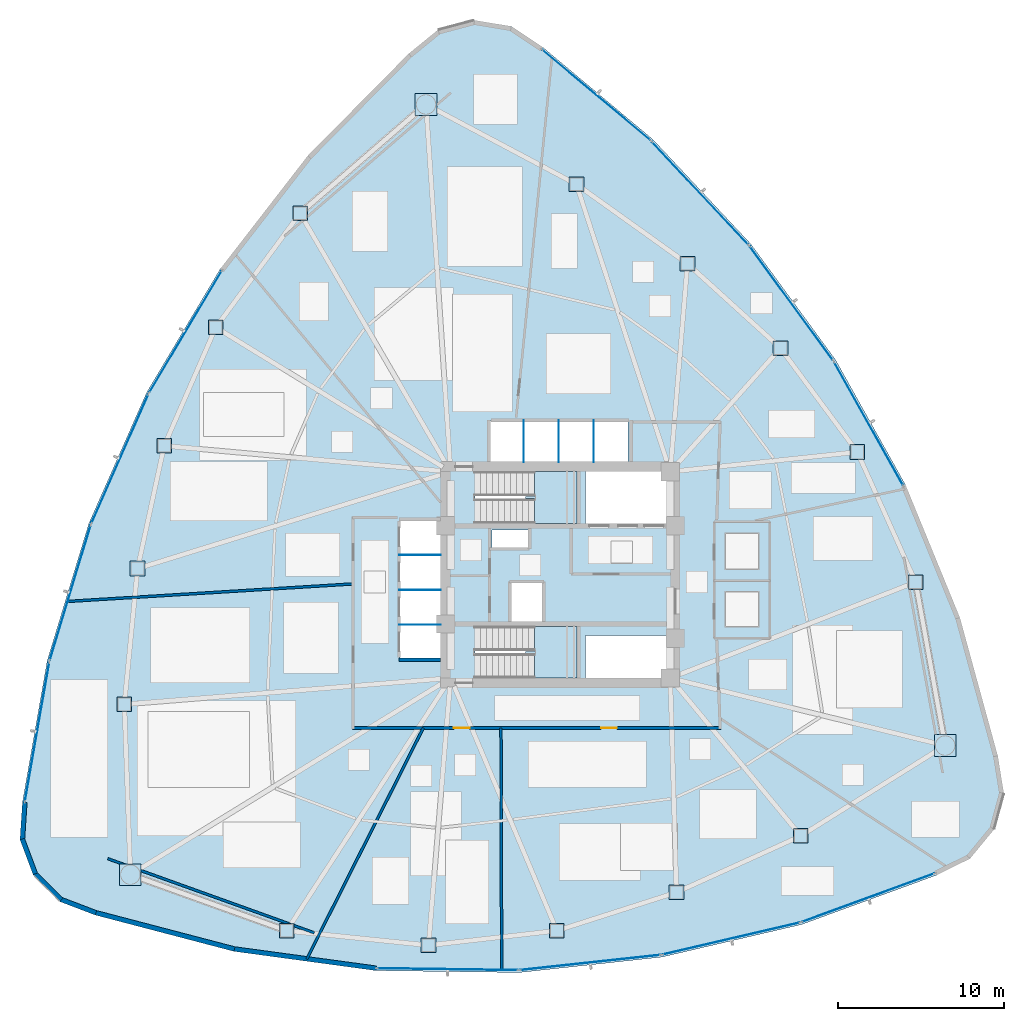
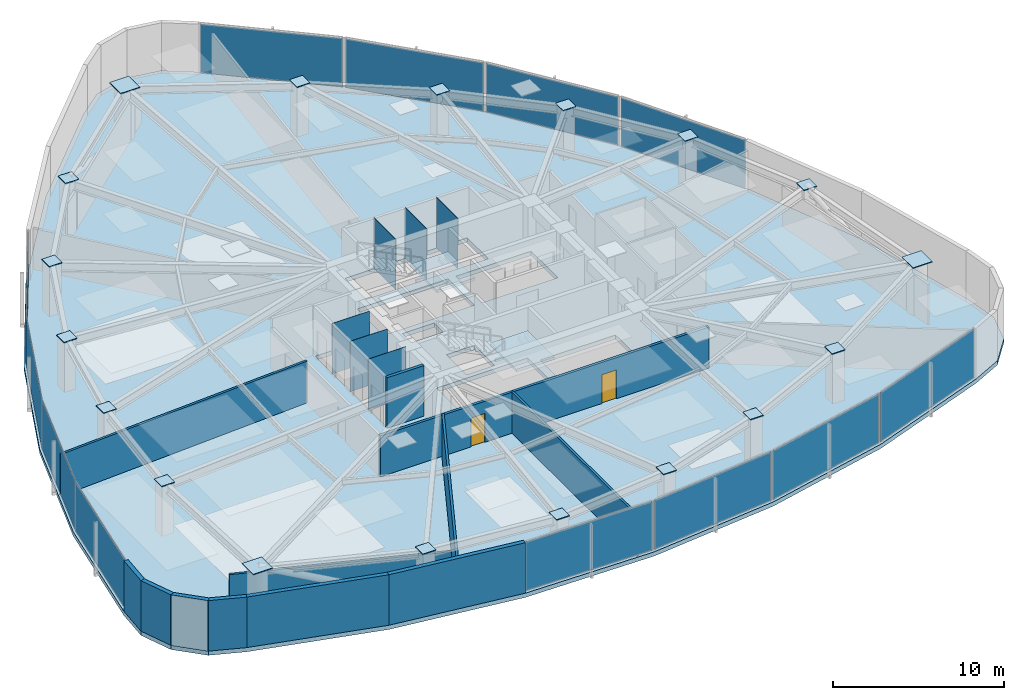
# One storey, part 10 of 16: 36 plates, 12 walls, 3 slabs, 2 doors, 2 openings, 14 elements without a shape of their own.
"""IFC4 building model written with IfcOpenShell, lengths in metres."""

from ifc_helpers import new_model, si_unit, direction, frame, frame_2d, origin, origin_2d, place, context, subcontext, project, spatial, polyline, rectangle, outline, extrude, source, transform, mapped, material, layer, layer_set, type_object, type_shapes, element, fill, aggregate, save


model = new_model("IFC4")

# Units and contexts
model_context = context("Model", 3, precision=1e-05, world=origin(), true_north=direction((0.0, 1.0)))
body_context = subcontext(model_context, "Body", "Model", "MODEL_VIEW")
ifc_project = project(units=[si_unit("LENGTHUNIT", "METRE"), si_unit("AREAUNIT", "SQUARE_METRE"), si_unit("VOLUMEUNIT", "CUBIC_METRE"), si_unit("PLANEANGLEUNIT", "RADIAN"), si_unit("MASSUNIT", "GRAM", prefix="KILO")], contexts=[model_context])

# Site, building, storey
site_placement = place(None, origin())
site = spatial("IfcSite", under=ifc_project, at=site_placement, CompositionType="ELEMENT")
building_placement = place(site_placement, origin())
building = spatial("IfcBuilding", under=site, at=building_placement, Name="Tavelor Broadcast Tower", CompositionType="ELEMENT")
storey_placement = place(building_placement, frame((0.0, 0.0, 35.39990234375)))
storey = spatial("IfcBuildingStorey", under=building, at=storey_placement, Name="L07", CompositionType="ELEMENT", Elevation=35.39990234375)

# Stair, slab
ifc_material_1 = material(Name="Concrete C40/50", Category="concrete")
stair_type = type_object("IfcStairType", Name="Reinforced Concrete Protected Dogleg Stair 1450 mm", PredefinedType="HALF_TURN_STAIR", material=ifc_material_1)
stair_1_placement = place(storey_placement, origin())
stair_1 = element("IfcStair", 1, at=stair_1_placement, inside=storey, type_object=stair_type, Name="L07 Protected Core Exit Stair ST1", PredefinedType="HALF_TURN_STAIR")
ifc_layer_1 = layer(ifc_material_1, 0.199951171875)
ifc_layer_set_1 = layer_set([ifc_layer_1], Name="Concrete C40/50")
slab_type_1 = type_object("IfcSlabType", Name="Reinforced Concrete Stair Half-Landing Slab 200 mm", PredefinedType="LANDING", material=ifc_layer_set_1)
slab_1_placement = place(storey_placement, frame((0.0, 0.0, 1.75)))
slab_1 = element("IfcSlab", 2, at=slab_1_placement, type_object=slab_type_1, Name="ST1 landing 1", PredefinedType="LANDING", context=body_context, shape_type="SweptSolid", body=[
    extrude(outline(polyline([(48.445068359375, 49.590087890625), (48.445068359375, 48.094970703125), (51.0048828125, 48.094970703125), (51.0048828125, 51.205078125), (48.445068359375, 51.205078125), (48.445068359375, 49.7099609375), (47.905029296875, 49.7099609375), (47.905029296875, 49.590087890625), (48.445068359375, 49.590087890625)])), origin(), (0.0, 0.0, 1.0), 0.2001953125),
])
aggregate(stair_1, [slab_1])

stair_2_placement = place(storey_placement, origin())
stair_2 = element("IfcStair", 3, at=stair_2_placement, inside=storey, type_object=stair_type, Name="L07 Protected Core Exit Stair ST2", PredefinedType="HALF_TURN_STAIR")
slab_2_placement = place(storey_placement, frame((0.0, 0.0, 1.75)))
slab_2 = element("IfcSlab", 4, at=slab_2_placement, type_object=slab_type_1, Name="ST2 landing 1", PredefinedType="LANDING", context=body_context, shape_type="SweptSolid", body=[
    extrude(outline(polyline([(48.445068359375, 40.2900390625), (48.445068359375, 38.794921875), (51.0048828125, 38.794921875), (51.0048828125, 41.905029296875), (48.445068359375, 41.905029296875), (48.445068359375, 40.409912109375), (47.905029296875, 40.409912109375), (47.905029296875, 40.2900390625), (48.445068359375, 40.2900390625)])), origin(), (0.0, 0.0, 1.0), 0.2001953125),
])
aggregate(stair_2, [slab_2])

# Slab
ifc_layer_2 = layer(ifc_material_1, 0.300048828125)
ifc_layer_set_2 = layer_set([ifc_layer_2], Name="Concrete C40/50")
slab_type_2 = type_object("IfcSlabType", Name="Tower Composite Floor Slab 300 mm", PredefinedType="FLOOR", material=ifc_layer_set_2)
slab_3_placement = place(storey_placement, frame((0.0, 0.0, -0.2998046875)))
element("IfcSlab", 5, at=slab_3_placement, inside=storey, type_object=slab_type_2, Name="L07 Structural Floor Slab", PredefinedType="FLOOR", context=body_context, shape_type="SweptSolid", body=[
    extrude(outline(polyline([(48.944091796875, 76.7021484375), (47.0615234375, 77.9599609375), (44.828125, 78.331787109375), (42.6396484375, 77.75146484375), (40.8837890625, 76.322021484375), (34.82421875, 70.193603515625), (29.55078125, 63.377197265625), (25.14111328125, 55.972412109375), (21.659912109375, 48.088623046875), (19.158203125, 39.841552734375), (17.673095703125, 31.352294921875), (17.52490234375, 29.093017578125), (18.31982421875, 26.972900390625), (19.91650390625, 25.36767578125), (22.032470703125, 24.561767578125), (30.369384765625, 22.37841796875), (38.909423828125, 21.2197265625), (47.52685546875, 21.10302734375), (56.09521484375, 22.030029296875), (64.48828125, 23.9873046875), (72.582763671875, 26.94580078125), (74.61328125, 27.947021484375), (76.052001953125, 29.6953125), (76.643798828125, 31.880859375), (76.28369140625, 34.1162109375), (74.006103515625, 42.427978515625), (70.739501953125, 50.4033203125), (66.531982421875, 57.92431640625), (61.44482421875, 64.881103515625), (55.553466796875, 71.171142578125), (48.944091796875, 76.7021484375)]), holes=[polyline([(56.60009765625, 38.800048828125), (51.52001953125, 38.800048828125), (51.52001953125, 41.35009765625), (56.60009765625, 41.35009765625), (56.60009765625, 38.800048828125)]), polyline([(50.99609375, 38.803955078125), (44.85400390625, 38.803955078125), (44.85400390625, 41.89599609375), (50.99609375, 41.89599609375), (50.99609375, 38.803955078125)]), polyline([(47.050048828125, 42.199951171875), (47.050048828125, 44.550048828125), (48.949951171875, 44.550048828125), (48.949951171875, 42.199951171875), (47.050048828125, 42.199951171875)]), polyline([(40.35009765625, 40.0), (40.35009765625, 48.25), (42.800048828125, 48.25), (42.800048828125, 40.0), (40.35009765625, 40.0)]), polyline([(48.050048828125, 46.64990234375), (45.89990234375, 46.64990234375), (45.89990234375, 47.699951171875), (48.050048828125, 47.699951171875), (48.050048828125, 46.64990234375)]), polyline([(50.99609375, 48.10400390625), (44.85400390625, 48.10400390625), (44.85400390625, 51.196044921875), (50.99609375, 51.196044921875), (50.99609375, 48.10400390625)]), polyline([(56.60009765625, 48.10009765625), (51.52001953125, 48.10009765625), (51.52001953125, 51.199951171875), (56.60009765625, 51.199951171875), (56.60009765625, 48.10009765625)]), polyline([(54.050048828125, 51.800048828125), (45.800048828125, 51.800048828125), (45.800048828125, 54.25), (54.050048828125, 54.25), (54.050048828125, 51.800048828125)])]), origin(), (0.0, 0.0, 1.0), 0.2998046875),
])

# Plates
ifc_material_2 = material(Name="Steel S460", Category="steel")
ifc_layer_3 = layer(ifc_material_2, 0.050048828125)
ifc_layer_set_3 = layer_set([ifc_layer_3], Name="Steel S460")
plate_type_1 = type_object("IfcPlateType", Name="Tube Hollow-End Cap Plate KN05 700x700x50", PredefinedType="USERDEFINED", material=ifc_layer_set_3)
shared_shape_1 = source(origin(), body_context, "Body", "SweptSolid", [
    extrude(rectangle(XDim=1.299072265625, YDim=1.299072265625, at=origin_2d()), origin(), (0.0, 0.0, 1.0), 0.054931640625),
])
for number, where, z_axis, x_axis, name in (
    (6, (41.923095703125, 73.266357421875, 3.57275390625), (0.0, 0.0, 1.0), (1.0, 0.0, 0.0), "L07 Hollow End Cap Plate KN05 #274"),
    (7, (24.1591796875, 26.98974609375, 3.57275390625), (0.0, 0.0, 1.0), (1.0, 0.0, 0.0), "L07 Hollow End Cap Plate KN05 #280"),
    (8, (73.117919921875, 34.743896484375, 3.57275390625), (0.0, 0.0, 1.0), (1.0, 0.0, 0.0), "L07 Hollow End Cap Plate KN05 #286"),
):
    element("IfcPlate", number, at=place(storey_placement, frame(where, z_axis=z_axis, x_axis=x_axis)), inside=storey, type_object=plate_type_1, Name=name, ObjectType="CAP PLATE", PredefinedType="USERDEFINED", context=body_context, shape_type="MappedRepresentation", body=[
        mapped(shared_shape_1, transform((0.0, 0.0, 0.0), scale=1.0)),
    ])
shared_shape_2 = source(origin(), body_context, "Body", "SweptSolid", [
    extrude(rectangle(XDim=0.8798828125, YDim=0.8798828125, at=origin_2d()), origin(), (0.0, 0.0, 1.0), 0.054931640625),
])
type_shapes(plate_type_1, [shared_shape_1, shared_shape_2])
for number, where, z_axis, x_axis, name in (
    (9, (34.356201171875, 66.727783203125, 3.57275390625), (0.0, 0.0, 1.0), (1.0, 0.0, 0.0), "L07 Hollow End Cap Plate KN05 #275"),
    (10, (29.292236328125, 59.87158203125, 3.57275390625), (0.0, 0.0, 1.0), (1.0, 0.0, 0.0), "L07 Hollow End Cap Plate KN05 #276"),
    (11, (26.189208984375, 52.75830078125, 3.57275390625), (0.0, 0.0, 1.0), (1.0, 0.0, 0.0), "L07 Hollow End Cap Plate KN05 #277"),
    (12, (24.58984375, 45.380615234375, 3.57275390625), (0.0, 0.0, 1.0), (1.0, 0.0, 0.0), "L07 Hollow End Cap Plate KN05 #278"),
    (13, (23.794677734375, 37.21630859375, 3.57275390625), (0.0, 0.0, 1.0), (1.0, 0.0, 0.0), "L07 Hollow End Cap Plate KN05 #279"),
    (14, (33.55078125, 23.615478515625, 3.57275390625), (0.0, 0.0, 1.0), (1.0, 0.0, 0.0), "L07 Hollow End Cap Plate KN05 #281"),
    (15, (42.0732421875, 22.740478515625, 3.57275390625), (0.0, 0.0, 1.0), (1.0, 0.0, 0.0), "L07 Hollow End Cap Plate KN05 #282"),
    (16, (49.78662109375, 23.617919921875, 3.57275390625), (0.0, 0.0, 1.0), (1.0, 0.0, 0.0), "L07 Hollow End Cap Plate KN05 #283"),
    (17, (56.975341796875, 25.92138671875, 3.57275390625), (0.0, 0.0, 1.0), (1.0, 0.0, 0.0), "L07 Hollow End Cap Plate KN05 #284"),
    (18, (64.443603515625, 29.31494140625, 3.57275390625), (0.0, 0.0, 1.0), (1.0, 0.0, 0.0), "L07 Hollow End Cap Plate KN05 #285"),
    (19, (71.343994140625, 44.564697265625, 3.57275390625), (0.0, 0.0, 1.0), (1.0, 0.0, 0.0), "L07 Hollow End Cap Plate KN05 #287"),
    (20, (67.8408203125, 52.382568359375, 3.57275390625), (0.0, 0.0, 1.0), (1.0, 0.0, 0.0), "L07 Hollow End Cap Plate KN05 #288"),
    (21, (63.22412109375, 58.623779296875, 3.57275390625), (0.0, 0.0, 1.0), (1.0, 0.0, 0.0), "L07 Hollow End Cap Plate KN05 #289"),
    (22, (57.634765625, 63.69775390625, 3.57275390625), (0.0, 0.0, 1.0), (1.0, 0.0, 0.0), "L07 Hollow End Cap Plate KN05 #290"),
    (23, (50.9619140625, 68.468505859375, 3.57275390625), (0.0, 0.0, 1.0), (1.0, 0.0, 0.0), "L07 Hollow End Cap Plate KN05 #291"),
):
    element("IfcPlate", number, at=place(storey_placement, frame(where, z_axis=z_axis, x_axis=x_axis)), inside=storey, type_object=plate_type_1, Name=name, ObjectType="CAP PLATE", PredefinedType="USERDEFINED", context=body_context, shape_type="MappedRepresentation", body=[
        mapped(shared_shape_2, transform((0.0, 0.0, 0.0), scale=1.0)),
    ])
ifc_material_3 = material(Name="Steel S355", Category="steel")
ifc_layer_4 = layer(ifc_material_3, 0.011962890625)
ifc_layer_set_4 = layer_set([ifc_layer_4], Name="Steel S355")
plate_type_2 = type_object("IfcPlateType", Name="Hoistway Steel Separator Screen 12 mm", PredefinedType="SHEET", material=ifc_layer_set_4)
shared_shape_3 = source(origin(), body_context, "Body", "SweptSolid", [
    extrude(rectangle(XDim=2.52001953125, YDim=0.02001953125, at=origin_2d()), origin(), (0.0, 0.0, 1.0), 3.60009765625),
])
for number, where, z_axis, x_axis, name in (
    (24, (41.56005859375, 42.0, 0.0), (0.0, 0.0, 1.0), (1.0, 0.0, 0.0), "L07 Low-Rise Hoistway Separator Screen 1"),
    (25, (41.56005859375, 44.10009765625, 0.0), (0.0, 0.0, 1.0), (1.0, 0.0, 0.0), "L07 Low-Rise Hoistway Separator Screen 2"),
    (26, (41.56005859375, 46.199951171875, 0.0), (0.0, 0.0, 1.0), (1.0, 0.0, 0.0), "L07 Low-Rise Hoistway Separator Screen 3"),
):
    element("IfcPlate", number, at=place(storey_placement, frame(where, z_axis=z_axis, x_axis=x_axis)), inside=storey, type_object=plate_type_2, Name=name, PredefinedType="SHEET", context=body_context, shape_type="MappedRepresentation", body=[
        mapped(shared_shape_3, transform((0.0, 0.0, 0.0), scale=1.0)),
    ])
shared_shape_4 = source(origin(), body_context, "Body", "SweptSolid", [
    extrude(rectangle(XDim=0.02001953125, YDim=2.52001953125, at=origin_2d()), origin(), (0.0, 0.0, 1.0), 3.60009765625),
])
type_shapes(plate_type_2, [shared_shape_3, shared_shape_4])
for number, where, z_axis, x_axis, name in (
    (27, (47.800048828125, 53.0400390625, 0.0), (0.0, 0.0, 1.0), (1.0, 0.0, 0.0), "L07 High-Rise Hoistway Separator Screen 1"),
    (28, (49.89990234375, 53.0400390625, 0.0), (0.0, 0.0, 1.0), (1.0, 0.0, 0.0), "L07 High-Rise Hoistway Separator Screen 2"),
    (29, (52.0, 53.0400390625, 0.0), (0.0, 0.0, 1.0), (1.0, 0.0, 0.0), "L07 High-Rise Hoistway Separator Screen 3"),
):
    element("IfcPlate", number, at=place(storey_placement, frame(where, z_axis=z_axis, x_axis=x_axis)), inside=storey, type_object=plate_type_2, Name=name, PredefinedType="SHEET", context=body_context, shape_type="MappedRepresentation", body=[
        mapped(shared_shape_4, transform((0.0, 0.0, 0.0), scale=1.0)),
    ])

# Curtain wall, plate
ifc_material_4 = material(Name="Architectural Anodized Aluminium", Category="aluminium")
ifc_layer_5 = layer(ifc_material_4, 0.179931640625)
ifc_layer_set_5 = layer_set([ifc_layer_5], Name="Architectural Anodized Aluminium")
curtain_wall_type = type_object("IfcCurtainWallType", Name="Tower Low-Zone Unitised Curtain Wall CW02", PredefinedType="NOTDEFINED", material=ifc_layer_set_5)
curtain_wall_1_placement = place(storey_placement, origin())
curtain_wall_1 = element("IfcCurtainWall", 30, at=curtain_wall_1_placement, inside=storey, type_object=curtain_wall_type, Name="L07 Curtain Wall CW02 Run 37", PredefinedType="NOTDEFINED")
ifc_material_5 = material(Name="Acoustic Double Glazing 28 mm", Category="glass")
ifc_layer_6 = layer(ifc_material_5, 0.028076171875)
ifc_layer_set_6 = layer_set([ifc_layer_6], Name="Acoustic Double Glazing 28 mm")
plate_type_3 = type_object("IfcPlateType", Name="CW02 Insulated Vision Glazing Panel 28 mm", PredefinedType="CURTAIN_PANEL", material=ifc_layer_set_6)
shared_shape_5 = source(origin(), body_context, "Body", "SweptSolid", [
    extrude(rectangle(XDim=8.456298828125, YDim=0.028076171875, at=origin_2d()), origin(), (0.0, 0.0, 1.0), 3.469970703125),
])
plate_1_placement = place(storey_placement, frame((27.47021484375, 59.609619140625, 0.06494140625), z_axis=(0.0, 0.0, 1.0), x_axis=(-0.51167037868, -0.859181833829, 0.0)))
plate_1 = element("IfcPlate", 31, at=plate_1_placement, type_object=plate_type_3, Name="CW02 panel 1.1", PredefinedType="CURTAIN_PANEL", context=body_context, shape_type="MappedRepresentation", body=[
    mapped(shared_shape_5, transform((0.0, 0.0, 0.0), scale=1.0)),
])
aggregate(curtain_wall_1, [plate_1])

curtain_wall_2_placement = place(storey_placement, origin())
curtain_wall_2 = element("IfcCurtainWall", 32, at=curtain_wall_2_placement, inside=storey, type_object=curtain_wall_type, Name="L07 Curtain Wall CW02 Run 41", PredefinedType="NOTDEFINED")
plate_2_placement = place(storey_placement, frame((43.212646484375, 21.301513671875, 0.06494140625), z_axis=(0.0, 0.0, 1.0), x_axis=(0.999908419812, -0.013533365758, 0.0)))
plate_2 = element("IfcPlate", 33, at=plate_2_placement, type_object=plate_type_3, Name="CW02 panel 1.1", PredefinedType="CURTAIN_PANEL", context=body_context, shape_type="MappedRepresentation", body=[
    mapped(shared_shape_5, transform((0.0, 0.0, 0.0), scale=1.0)),
])
aggregate(curtain_wall_2, [plate_2])

curtain_wall_3_placement = place(storey_placement, origin())
curtain_wall_3 = element("IfcCurtainWall", 34, at=curtain_wall_3_placement, inside=storey, type_object=curtain_wall_type, Name="L07 Curtain Wall CW02 Run 38", PredefinedType="NOTDEFINED")
shared_shape_6 = source(origin(), body_context, "Body", "SweptSolid", [
    extrude(rectangle(XDim=8.441162109375, YDim=0.028076171875, at=origin_2d()), origin(), (0.0, 0.0, 1.0), 3.469970703125),
])
plate_3_placement = place(storey_placement, frame((23.528564453125, 51.97412109375, 0.06494140625), z_axis=(0.0, 0.0, 1.0), x_axis=(-0.403945231697, -0.914783170915, 0.0)))
plate_3 = element("IfcPlate", 35, at=plate_3_placement, type_object=plate_type_3, Name="CW02 panel 1.1", PredefinedType="CURTAIN_PANEL", context=body_context, shape_type="MappedRepresentation", body=[
    mapped(shared_shape_6, transform((0.0, 0.0, 0.0), scale=1.0)),
])
aggregate(curtain_wall_3, [plate_3])

curtain_wall_4_placement = place(storey_placement, origin())
curtain_wall_4 = element("IfcCurtainWall", 36, at=curtain_wall_4_placement, inside=storey, type_object=curtain_wall_type, Name="L07 Curtain Wall CW02 Run 39", PredefinedType="NOTDEFINED")
plate_4_placement = place(storey_placement, frame((20.543212890625, 43.924560546875, 0.06494140625), z_axis=(0.0, 0.0, 1.0), x_axis=(-0.290272907068, -0.9569439061, 0.0)))
plate_4 = element("IfcPlate", 37, at=plate_4_placement, type_object=plate_type_3, Name="CW02 panel 1.1", PredefinedType="CURTAIN_PANEL", context=body_context, shape_type="MappedRepresentation", body=[
    mapped(shared_shape_6, transform((0.0, 0.0, 0.0), scale=1.0)),
])
aggregate(curtain_wall_4, [plate_4])

curtain_wall_5_placement = place(storey_placement, origin())
curtain_wall_5 = element("IfcCurtainWall", 38, at=curtain_wall_5_placement, inside=storey, type_object=curtain_wall_type, Name="L07 Curtain Wall CW02 Run 43", PredefinedType="NOTDEFINED")
plate_5_placement = place(storey_placement, frame((60.260009765625, 23.14501953125, 0.06494140625), z_axis=(0.0, 0.0, 1.0), x_axis=(0.973871665625, 0.22709905084, 0.0)))
plate_5 = element("IfcPlate", 39, at=plate_5_placement, type_object=plate_type_3, Name="CW02 panel 1.1", PredefinedType="CURTAIN_PANEL", context=body_context, shape_type="MappedRepresentation", body=[
    mapped(shared_shape_6, transform((0.0, 0.0, 0.0), scale=1.0)),
])
aggregate(curtain_wall_5, [plate_5])

curtain_wall_6_placement = place(storey_placement, origin())
curtain_wall_6 = element("IfcCurtainWall", 40, at=curtain_wall_6_placement, inside=storey, type_object=curtain_wall_type, Name="L07 Curtain Wall CW02 Run 46", PredefinedType="NOTDEFINED")
plate_6_placement = place(storey_placement, frame((63.87548828125, 61.320068359375, 0.06494140625), z_axis=(0.0, 0.0, 1.0), x_axis=(-0.59025086968, 0.807219865243, 0.0)))
plate_6 = element("IfcPlate", 41, at=plate_6_placement, type_object=plate_type_3, Name="CW02 panel 1.1", PredefinedType="CURTAIN_PANEL", context=body_context, shape_type="MappedRepresentation", body=[
    mapped(shared_shape_6, transform((0.0, 0.0, 0.0), scale=1.0)),
])
aggregate(curtain_wall_6, [plate_6])

curtain_wall_7_placement = place(storey_placement, origin())
curtain_wall_7 = element("IfcCurtainWall", 42, at=curtain_wall_7_placement, inside=storey, type_object=curtain_wall_type, Name="L07 Curtain Wall CW02 Run 47", PredefinedType="NOTDEFINED")
plate_7_placement = place(storey_placement, frame((58.39697265625, 67.930419921875, 0.06494140625), z_axis=(0.0, 0.0, 1.0), x_axis=(-0.6836045808, 0.729852572174, 0.0)))
plate_7 = element("IfcPlate", 43, at=plate_7_placement, type_object=plate_type_3, Name="CW02 panel 1.1", PredefinedType="CURTAIN_PANEL", context=body_context, shape_type="MappedRepresentation", body=[
    mapped(shared_shape_6, transform((0.0, 0.0, 0.0), scale=1.0)),
])
aggregate(curtain_wall_7, [plate_7])

curtain_wall_8_placement = place(storey_placement, origin())
curtain_wall_8 = element("IfcCurtainWall", 44, at=curtain_wall_8_placement, inside=storey, type_object=curtain_wall_type, Name="L07 Curtain Wall CW02 Run 40", PredefinedType="NOTDEFINED")
shared_shape_7 = source(origin(), body_context, "Body", "SweptSolid", [
    extrude(rectangle(XDim=8.457275390625, YDim=0.028076171875, at=origin_2d()), origin(), (0.0, 0.0, 1.0), 3.469970703125),
])
plate_8_placement = place(storey_placement, frame((18.55224609375, 35.56494140625, 0.06494140625), z_axis=(0.0, 0.0, 1.0), x_axis=(-0.172338241982, -0.985037831939, 0.0)))
plate_8 = element("IfcPlate", 45, at=plate_8_placement, type_object=plate_type_3, Name="CW02 panel 1.1", PredefinedType="CURTAIN_PANEL", context=body_context, shape_type="MappedRepresentation", body=[
    mapped(shared_shape_7, transform((0.0, 0.0, 0.0), scale=1.0)),
])
aggregate(curtain_wall_8, [plate_8])

curtain_wall_9_placement = place(storey_placement, origin())
curtain_wall_9 = element("IfcCurtainWall", 46, at=curtain_wall_9_placement, inside=storey, type_object=curtain_wall_type, Name="L07 Curtain Wall CW02 Run 44", PredefinedType="NOTDEFINED")
plate_9_placement = place(storey_placement, frame((68.494873046875, 25.600830078125, 0.06494140625), z_axis=(0.0, 0.0, 1.0), x_axis=(0.939239005444, 0.343263879039, 0.0)))
plate_9 = element("IfcPlate", 47, at=plate_9_placement, type_object=plate_type_3, Name="CW02 panel 1.1", PredefinedType="CURTAIN_PANEL", context=body_context, shape_type="MappedRepresentation", body=[
    mapped(shared_shape_7, transform((0.0, 0.0, 0.0), scale=1.0)),
])
aggregate(curtain_wall_9, [plate_9])

curtain_wall_10_placement = place(storey_placement, origin())
curtain_wall_10 = element("IfcCurtainWall", 48, at=curtain_wall_10_placement, inside=storey, type_object=curtain_wall_type, Name="L07 Curtain Wall CW02 Run 48", PredefinedType="NOTDEFINED")
plate_10_placement = place(storey_placement, frame((52.15283203125, 73.83447265625, 0.06494140625), z_axis=(0.0, 0.0, 1.0), x_axis=(-0.766902416112, 0.641763729235, 0.0)))
plate_10 = element("IfcPlate", 49, at=plate_10_placement, type_object=plate_type_3, Name="CW02 panel 1.1", PredefinedType="CURTAIN_PANEL", context=body_context, shape_type="MappedRepresentation", body=[
    mapped(shared_shape_7, transform((0.0, 0.0, 0.0), scale=1.0)),
])
aggregate(curtain_wall_10, [plate_10])

curtain_wall_11_placement = place(storey_placement, origin())
curtain_wall_11 = element("IfcCurtainWall", 50, at=curtain_wall_11_placement, inside=storey, type_object=curtain_wall_type, Name="L07 Curtain Wall CW02 Run 42", PredefinedType="NOTDEFINED")
shared_shape_8 = source(origin(), body_context, "Body", "SweptSolid", [
    extrude(rectangle(XDim=8.44140625, YDim=0.028076171875, at=origin_2d()), origin(), (0.0, 0.0, 1.0), 3.469970703125),
])
plate_11_placement = place(storey_placement, frame((51.7958984375, 21.705810546875, 0.06494140625), z_axis=(0.0, 0.0, 1.0), x_axis=(0.994197744102, 0.107567865191, 0.0)))
plate_11 = element("IfcPlate", 51, at=plate_11_placement, type_object=plate_type_3, Name="CW02 panel 1.1", PredefinedType="CURTAIN_PANEL", context=body_context, shape_type="MappedRepresentation", body=[
    mapped(shared_shape_8, transform((0.0, 0.0, 0.0), scale=1.0)),
])
aggregate(curtain_wall_11, [plate_11])

curtain_wall_12_placement = place(storey_placement, origin())
curtain_wall_12 = element("IfcCurtainWall", 52, at=curtain_wall_12_placement, inside=storey, type_object=curtain_wall_type, Name="L07 Curtain Wall CW02 Run 45", PredefinedType="NOTDEFINED")
shared_shape_9 = source(origin(), body_context, "Body", "SweptSolid", [
    extrude(rectangle(XDim=8.4560546875, YDim=0.028076171875, at=origin_2d()), origin(), (0.0, 0.0, 1.0), 3.469970703125),
])
type_shapes(plate_type_3, [shared_shape_5, shared_shape_6, shared_shape_7, shared_shape_8, shared_shape_9])
plate_12_placement = place(storey_placement, frame((68.517333984375, 54.0888671875, 0.06494140625), z_axis=(0.0, 0.0, 1.0), x_axis=(-0.488240520511, 0.872709111979, 0.0)))
plate_12 = element("IfcPlate", 53, at=plate_12_placement, type_object=plate_type_3, Name="CW02 panel 1.1", PredefinedType="CURTAIN_PANEL", context=body_context, shape_type="MappedRepresentation", body=[
    mapped(shared_shape_9, transform((0.0, 0.0, 0.0), scale=1.0)),
])
aggregate(curtain_wall_12, [plate_12])

# Wall, openings, doors
ifc_material_6 = material(Name="Calcium Silicate Fire Board 180 mm", Category="gypsum")
ifc_layer_7 = layer(ifc_material_6, 0.179931640625)
ifc_layer_set_7 = layer_set([ifc_layer_7], Name="Calcium Silicate Fire Board 180 mm")
wall_type_1 = type_object("IfcWallType", Name="Fire-Rated Corridor Partition Wall 180 mm", PredefinedType="PARTITIONING", material=ifc_layer_set_7)
wall_1_placement = place(storey_placement, frame((59.64990234375, 35.800048828125, 0.0), z_axis=(0.0, 0.0, 1.0), x_axis=(-1.0, 0.0, 0.0)))
wall_1 = element("IfcWall", 54, at=wall_1_placement, inside=storey, type_object=wall_type_1, Name="L07 Corridor Compartment Wall 04", PredefinedType="PARTITIONING", context=body_context, shape_type="SweptSolid", body=[
    extrude(rectangle(XDim=22.14990234375, YDim=0.179931640625, at=frame_2d((11.074951171875, 0.0))), origin(), (0.0, 0.0, 1.0), 2.925048828125),
])
opening_1_placement = place(wall_1_placement, frame((6.254150390625, 0.0, 0.0)))
opening_1 = element("IfcOpeningElement", 55, at=opening_1_placement, cuts=wall_1, Name="Opening DR18", PredefinedType="OPENING", context=body_context, shape_type="SweptSolid", body=[
    extrude(rectangle(XDim=0.949951171875, YDim=2.050048828125, at=frame_2d((0.47509765625, 1.02490234375))), frame((0.0, 0.10009765625, 0.0), z_axis=(0.0, -1.0, 0.0), x_axis=(1.0, 0.0, 0.0)), (0.0, 0.0, 1.0), 0.199951171875),
])
opening_2_placement = place(wall_1_placement, frame((15.103271484375, 0.0, 0.0)))
opening_2 = element("IfcOpeningElement", 56, at=opening_2_placement, cuts=wall_1, Name="Opening DR18", PredefinedType="OPENING", context=body_context, shape_type="SweptSolid", body=[
    extrude(rectangle(XDim=0.949951171875, YDim=2.050048828125, at=frame_2d((0.47509765625, 1.02490234375))), frame((0.0, 0.10009765625, 0.0), z_axis=(0.0, -1.0, 0.0), x_axis=(1.0, 0.0, 0.0)), (0.0, 0.0, 1.0), 0.199951171875),
])
ifc_material_7 = material(Name="Timber Solid Core Hardwood", Category="wood")
door_type = type_object("IfcDoorType", Name="Corridor Rated Compartment Door 950x2050", OperationType="NOTDEFINED", PredefinedType="DOOR", material=ifc_material_7)
door_1_placement = place(opening_1_placement, origin())
door_1 = element("IfcDoor", 57, at=door_1_placement, inside=storey, type_object=door_type, Name="L07 Investigative News Desk Door R0", OperationType="SINGLE_SWING_LEFT", OverallHeight=2.050048828125, OverallWidth=0.949951171875, PredefinedType="DOOR", context=body_context, shape_type="SweptSolid", body=[
    extrude(rectangle(XDim=0.949951171875, YDim=2.050048828125, at=frame_2d((0.47509765625, 1.02490234375))), frame((0.0, 0.02490234375, 0.0), z_axis=(0.0, -1.0, 0.0), x_axis=(1.0, 0.0, 0.0)), (0.0, 0.0, 1.0), 0.050048828125),
])
fill(opening_1, door_1)
door_2_placement = place(opening_2_placement, origin())
door_2 = element("IfcDoor", 58, at=door_2_placement, inside=storey, type_object=door_type, Name="L07 Syndication Legal Office Door R1", OperationType="SINGLE_SWING_RIGHT", OverallHeight=2.050048828125, OverallWidth=0.949951171875, PredefinedType="DOOR", context=body_context, shape_type="SweptSolid", body=[
    extrude(rectangle(XDim=0.949951171875, YDim=2.050048828125, at=frame_2d((0.47509765625, 1.02490234375))), frame((0.0, 0.02490234375, 0.0), z_axis=(0.0, -1.0, 0.0), x_axis=(1.0, 0.0, 0.0)), (0.0, 0.0, 1.0), 0.050048828125),
])
fill(opening_2, door_2)

# Walls
ifc_material_8 = material(Name="Precast Concrete C40/50", Category="concrete")
ifc_layer_8 = layer(ifc_material_8, 0.280029296875)
ifc_layer_set_8 = layer_set([ifc_layer_8], Name="Precast Concrete C40/50")
wall_type_2 = type_object("IfcWallType", Name="Insulated Precast Terracotta Facade Wall 280 mm", PredefinedType="STANDARD", material=ifc_layer_set_8)
wall_2_placement = place(storey_placement, frame((17.8125, 31.339599609375, 0.0), z_axis=(0.0, 0.0, 1.0), x_axis=(-0.065342731632, -0.997862880071, 0.0)))
element("IfcWall", 59, at=wall_2_placement, inside=storey, type_object=wall_type_2, Name="L07 Rounded Corner Structural Cladding Pier 11", PredefinedType="STANDARD", context=body_context, shape_type="SweptSolid", body=[
    extrude(rectangle(XDim=2.24560546875, YDim=0.280029296875, at=frame_2d((1.122802734375, 0.0))), origin(), (0.0, 0.0, 1.0), 3.60009765625),
])
for number, where, z_axis, x_axis, name in (
    (60, (17.661376953125, 29.1279296875, 0.0), (0.0, 0.0, 1.0), (0.351027627095, -0.936365102413, 0.0), "L07 Rounded Corner Structural Cladding Pier 12"),
    (61, (18.4296875, 27.060791015625, 0.0), (0.0, 0.0, 1.0), (0.70524641548, -0.708962265182, 0.0), "L07 Rounded Corner Structural Cladding Pier 13"),
):
    element("IfcWall", number, at=place(storey_placement, frame(where, z_axis=z_axis, x_axis=x_axis)), inside=storey, type_object=wall_type_2, Name=name, PredefinedType="STANDARD", context=body_context, shape_type="SweptSolid", body=[
        extrude(rectangle(XDim=2.23388671875, YDim=0.280029296875, at=frame_2d((1.116943359375, 0.0))), origin(), (0.0, 0.0, 1.0), 3.60009765625),
    ])
wall_3_placement = place(storey_placement, frame((19.980712890625, 25.492919921875, 0.0), z_axis=(0.0, 0.0, 1.0), x_axis=(0.934534007162, -0.355873839244, 0.0)))
element("IfcWall", 62, at=wall_3_placement, inside=storey, type_object=wall_type_2, Name="L07 Rounded Corner Structural Cladding Pier 14", PredefinedType="STANDARD", context=body_context, shape_type="SweptSolid", body=[
    extrude(rectangle(XDim=2.25634765625, YDim=0.280029296875, at=frame_2d((1.128173828125, 0.0))), origin(), (0.0, 0.0, 1.0), 3.60009765625),
])
wall_4_placement = place(storey_placement, frame((22.060791015625, 24.69921875, 0.0), z_axis=(0.0, 0.0, 1.0), x_axis=(0.967373543716, -0.253354350503, 0.0)))
element("IfcWall", 63, at=wall_4_placement, inside=storey, type_object=wall_type_2, Name="L07 Rounded Corner Structural Cladding Pier 15", PredefinedType="STANDARD", context=body_context, shape_type="SweptSolid", body=[
    extrude(rectangle(XDim=8.63232421875, YDim=0.280029296875, at=frame_2d((4.316162109375, 0.0))), origin(), (0.0, 0.0, 1.0), 3.60009765625),
])
wall_5_placement = place(storey_placement, frame((30.3818359375, 22.517822265625, 0.0), z_axis=(0.0, 0.0, 1.0), x_axis=(0.990921283567, -0.134443332945, 0.0)))
element("IfcWall", 64, at=wall_5_placement, inside=storey, type_object=wall_type_2, Name="L07 Rounded Corner Structural Cladding Pier 16", PredefinedType="STANDARD", context=body_context, shape_type="SweptSolid", body=[
    extrude(rectangle(XDim=8.620361328125, YDim=0.280029296875, at=frame_2d((4.31005859375, 0.0))), origin(), (0.0, 0.0, 1.0), 3.60009765625),
])
ifc_material_9 = material(Name="Gypsum Acoustic Plasterboard 150 mm", Category="gypsum")
ifc_layer_9 = layer(ifc_material_9, 0.14990234375)
ifc_layer_set_9 = layer_set([ifc_layer_9], Name="Gypsum Acoustic Plasterboard 150 mm")
wall_type_3 = type_object("IfcWallType", Name="Interior Acoustic Partition Wall 150 mm", PredefinedType="PARTITIONING", material=ifc_layer_set_9)
wall_6_placement = place(storey_placement, frame((22.802001953125, 27.94482421875, 0.0), z_axis=(0.0, 0.0, 1.0), x_axis=(0.941102349209, -0.338121824662, 0.0)))
element("IfcWall", 65, at=wall_6_placement, inside=storey, type_object=wall_type_3, Name="L07 Corner Tube Brace Furring Wall 2", PredefinedType="PARTITIONING", context=body_context, shape_type="SweptSolid", body=[
    extrude(rectangle(XDim=13.1796875, YDim=0.14990234375, at=frame_2d((6.58984375, 0.0))), origin(), (0.0, 0.0, 1.0), 2.925048828125),
])
wall_7_placement = place(storey_placement, frame((37.550048828125, 44.456787109375, 0.0), z_axis=(0.0, 0.0, 1.0), x_axis=(-0.99812341388, -0.061234391186, 0.0)))
element("IfcWall", 66, at=wall_7_placement, inside=storey, type_object=wall_type_3, Name="L07 Radial Compartment Wall 04", PredefinedType="PARTITIONING", context=body_context, shape_type="SweptSolid", body=[
    extrude(rectangle(XDim=17.207763671875, YDim=0.14990234375, at=frame_2d((8.60400390625, 0.0))), origin(), (0.0, 0.0, 1.0), 2.97509765625),
])
wall_8_placement = place(storey_placement, frame((41.760009765625, 35.800048828125, 0.0), z_axis=(0.0, 0.0, 1.0), x_axis=(-0.450300424292, -0.89287710682, 0.0)))
element("IfcWall", 67, at=wall_8_placement, inside=storey, type_object=wall_type_3, Name="L07 Radial Compartment Wall 05", PredefinedType="PARTITIONING", context=body_context, shape_type="SweptSolid", body=[
    extrude(rectangle(XDim=15.5517578125, YDim=0.14990234375, at=frame_2d((7.77587890625, 0.0))), origin(), (0.0, 0.0, 1.0), 2.97509765625),
])
wall_9_placement = place(storey_placement, frame((46.427001953125, 35.800048828125, 0.0), z_axis=(0.0, 0.0, 1.0), x_axis=(0.002952610939, -0.999995641035, 0.0)))
element("IfcWall", 68, at=wall_9_placement, inside=storey, type_object=wall_type_3, Name="L07 Radial Compartment Wall 06", PredefinedType="PARTITIONING", context=body_context, shape_type="SweptSolid", body=[
    extrude(rectangle(XDim=14.552734375, YDim=0.14990234375, at=frame_2d((7.2763671875, 0.0))), origin(), (0.0, 0.0, 1.0), 2.925048828125),
])
ifc_material_10 = material(Name="Concrete Blockwork 200 mm", Category="masonry")
ifc_layer_10 = layer(ifc_material_10, 0.199951171875)
ifc_layer_set_10 = layer_set([ifc_layer_10], Name="Concrete Blockwork 200 mm")
wall_type_4 = type_object("IfcWallType", Name="Lift and Riser Shaft Enclosure Wall 200 mm", PredefinedType="PARTITIONING", material=ifc_layer_set_10)
wall_10_placement = place(storey_placement, frame((40.300048828125, 39.89990234375, 0.0), z_axis=(0.0, 0.0, 1.0), x_axis=(1.0, 0.0, 0.0)))
element("IfcWall", 69, at=wall_10_placement, inside=storey, type_object=wall_type_4, Name="L07 Low-Rise Lift Shaft South Wall", PredefinedType="PARTITIONING", context=body_context, shape_type="SweptSolid", body=[
    extrude(rectangle(XDim=2.5, YDim=0.199951171875, at=frame_2d((1.25, 0.0))), origin(), (0.0, 0.0, 1.0), 3.60009765625),
])

save(model, "model.ifc")
